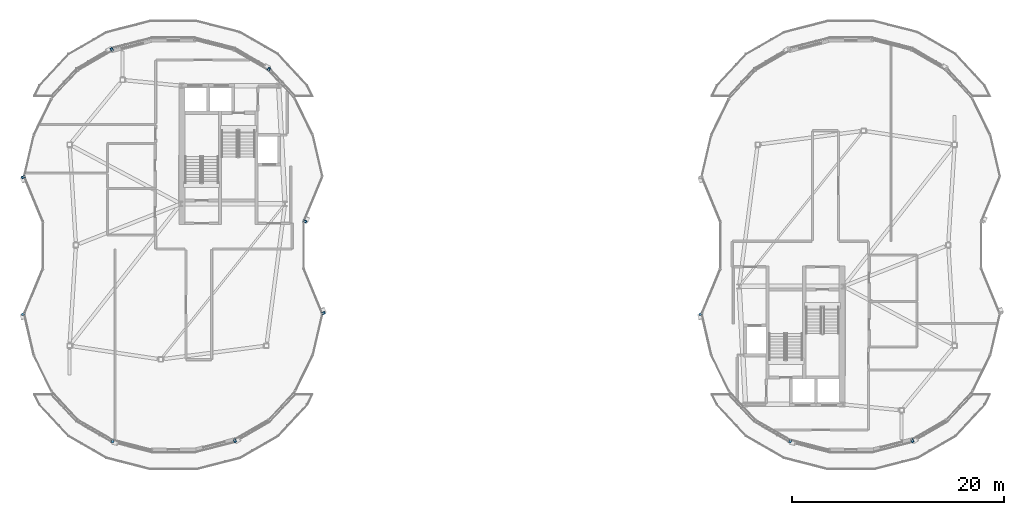
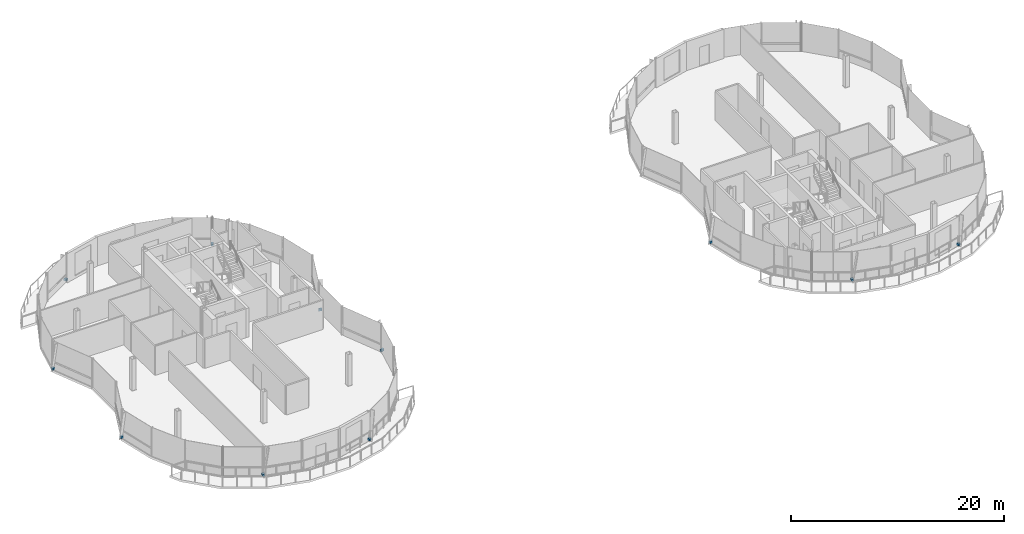
# One storey, part 15 of 20: 11 discrete accessories.
"""IFC4 building model written with IfcOpenShell, lengths in metres."""

from ifc_helpers import new_model, si_unit, direction, frame, origin, origin_2d, place, context, subcontext, project, spatial, rectangle, extrude, material, type_object, element, save


model = new_model("IFC4")

# Units and contexts
model_context = context("Model", 3, precision=1e-05, world=origin(), true_north=direction((0.0, 1.0)))
body_context = subcontext(model_context, "Body", "Model", "MODEL_VIEW")
ifc_project = project(units=[si_unit("LENGTHUNIT", "METRE"), si_unit("AREAUNIT", "SQUARE_METRE"), si_unit("VOLUMEUNIT", "CUBIC_METRE"), si_unit("PLANEANGLEUNIT", "RADIAN"), si_unit("MASSUNIT", "GRAM", prefix="KILO"), si_unit("THERMODYNAMICTEMPERATUREUNIT", "KELVIN"), si_unit("POWERUNIT", "WATT")], contexts=[model_context])

# Site, building, storey
site_placement = place(None, origin())
site = spatial("IfcSite", under=ifc_project, at=site_placement, CompositionType="ELEMENT")
building_placement = place(site_placement, origin())
building = spatial("IfcBuilding", under=site, at=building_placement, Name="Cundina Bronze Exchange", CompositionType="ELEMENT")
storey_placement = place(building_placement, frame((0.0, 0.0, 282.800048828125)))
storey = spatial("IfcBuildingStorey", under=building, at=storey_placement, Name="L75", CompositionType="ELEMENT", Elevation=282.800048828125)

# Discrete accessories
ifc_material = material(Name="Anodised Bronze Aluminium 6063-T6", Category="aluminium")
discrete_accessory_type = type_object("IfcDiscreteAccessoryType", Name="ACC-BRK-FIN", PredefinedType="BRACKET", material=ifc_material)
for number, where, z_axis, x_axis, name in (
    (1, (-19.563232421875, 2.233154296875, 0.10009765625), (0.0, 0.0, 1.0), (0.383231606105, 0.923652280938, 0.0), "L75 Fin Support Bracket 1"),
    (2, (-22.978515625, 16.62744140625, 0.10009765625), (0.0, 0.0, 1.0), (-0.865308932118, 0.501238917081, 0.0), "L75 Fin Support Bracket 5"),
    (3, (-37.813232421875, 18.48583984375, 0.10009765625), (0.0, 0.0, 1.0), (-0.865308932118, -0.501238917081, 0.0), "L75 Fin Support Bracket 1"),
    (4, (-46.1767578125, 6.427001953125, 0.10009765625), (0.0, 0.0, 1.0), (0.383231606105, -0.923652280938, 0.0), "L75 Fin Support Bracket 5"),
    (5, (-46.184326171875, -6.51953125, 0.10009765625), (0.0, 0.0, 1.0), (0.226328312319, -0.974051074145, 0.0), "L75 Fin Support Bracket 1"),
    (6, (-37.7275390625, -18.52099609375, 0.10009765625), (0.0, 0.0, 1.0), (0.96830912685, -0.249754749424, 0.0), "L75 Fin Support Bracket 5"),
    (7, (-26.186767578125, -18.48583984375, 0.10009765625), (0.0, 0.0, 1.0), (0.865308932118, 0.501238917081, 0.0), "L75 Fin Support Bracket 1"),
    (8, (-17.8232421875, -6.427001953125, 0.10009765625), (0.0, 0.0, 1.0), (-0.383231606105, 0.923652280938, 0.0), "L75 Fin Support Bracket 5"),
    (9, (17.815673828125, -6.51953125, 0.10009765625), (0.0, 0.0, 1.0), (0.226328312319, -0.974051074145, 0.0), "L75 Fin Support Bracket 1"),
    (10, (26.2724609375, -18.52099609375, 0.10009765625), (0.0, 0.0, 1.0), (0.96830912685, -0.249754749424, 0.0), "L75 Fin Support Bracket 5"),
    (11, (37.813232421875, -18.48583984375, 0.10009765625), (0.0, 0.0, 1.0), (0.865308932118, 0.501238917081, 0.0), "L75 Fin Support Bracket 1"),
):
    element("IfcDiscreteAccessory", number, at=place(storey_placement, frame(where, z_axis=z_axis, x_axis=x_axis)), inside=storey, type_object=discrete_accessory_type, Name=name, PredefinedType="BRACKET", context=body_context, shape_type="SweptSolid", body=[
        extrude(rectangle(XDim=0.219970703125, YDim=0.320068359375, at=origin_2d()), origin(), (0.0, 0.0, 1.0), 0.239990234375),
    ])

save(model, "model.ifc")
